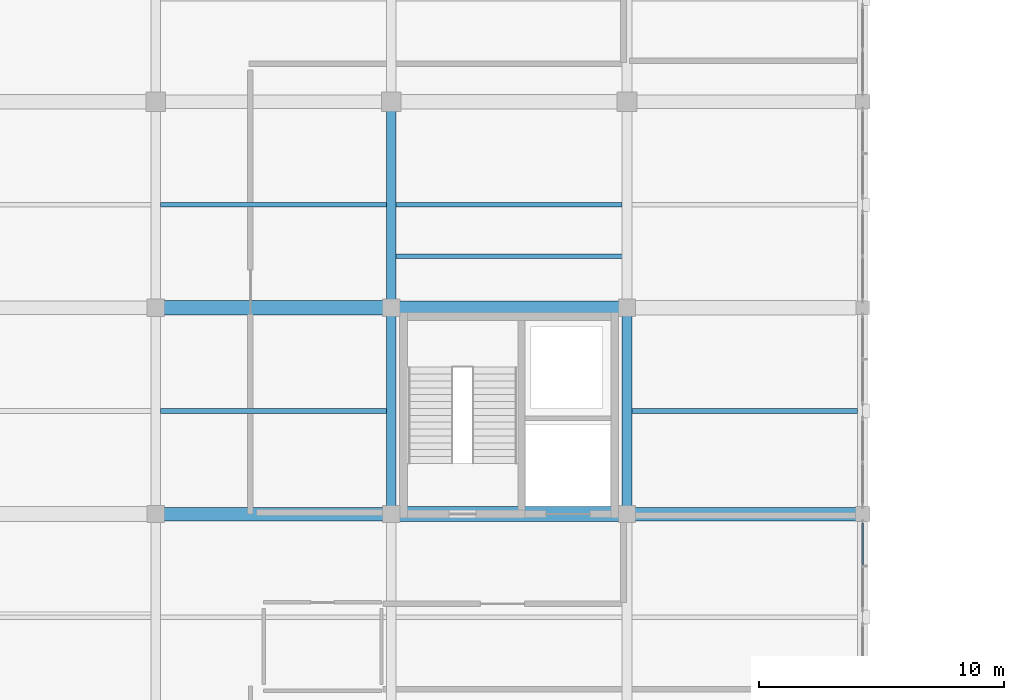
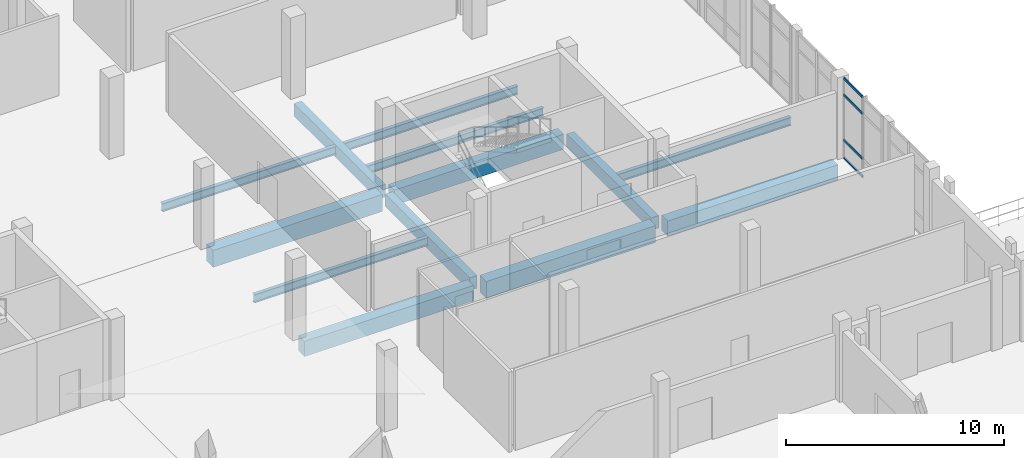
# One storey, part 63 of 102: 13 beams, 4 members, 1 element without a shape of its own.
"""IFC4 building model written with IfcOpenShell, lengths in metres."""

from ifc_helpers import new_model, si_unit, direction, frame, origin, origin_2d, place, context, subcontext, project, spatial, rectangle, hollow_rectangle, i_section, extrude, material, layer, layer_set, material_profile, profile_set, type_object, element, aggregate, save


model = new_model("IFC4")

# Units and contexts
model_context = context("Model", 3, precision=1e-05, world=origin(), true_north=direction((0.0, 1.0)))
body_context = subcontext(model_context, "Body", "Model", "MODEL_VIEW")
ifc_project = project(units=[si_unit("LENGTHUNIT", "METRE"), si_unit("AREAUNIT", "SQUARE_METRE"), si_unit("VOLUMEUNIT", "CUBIC_METRE"), si_unit("PLANEANGLEUNIT", "RADIAN"), si_unit("MASSUNIT", "GRAM", prefix="KILO")], contexts=[model_context])

# Site, building, storey
site_placement = place(None, origin())
site = spatial("IfcSite", under=ifc_project, at=site_placement, CompositionType="ELEMENT")
building_placement = place(site_placement, origin())
building = spatial("IfcBuilding", under=site, at=building_placement, Name="Lornevale Opera House", CompositionType="ELEMENT")
storey_placement = place(building_placement, frame((0.0, 0.0, 5.39990234375)))
storey = spatial("IfcBuildingStorey", under=building, at=storey_placement, Name="L02", CompositionType="ELEMENT", Elevation=5.39990234375)

# Beams
ifc_material_1 = material(Name="Concrete 35 MPa (CSA A23.1 N)", Category="concrete")
ifc_material_profile_1 = material_profile(ifc_material_1, rectangle(XDim=0.39990234375, YDim=0.699951171875, at=origin_2d()), Name="RC400x700")
ifc_profile_set_1 = profile_set([ifc_material_profile_1], Name="Concrete 35 MPa (CSA A23.1 N)")
beam_type_1 = type_object("IfcBeamType", Name="Concrete Floor Beam 400x700", PredefinedType="USERDEFINED", material=ifc_profile_set_1)
beam_1_placement = place(storey_placement, frame((134.39990234375, 33.925048828125, -0.64990234375), z_axis=(0.0, 1.0, 0.0), x_axis=(-1.0, 0.0, 0.0)))
element("IfcBeam", 1, at=beam_1_placement, inside=storey, type_object=beam_type_1, Name="Concrete Floor Beam 400x700 1954", ObjectType="GIRDER", PredefinedType="USERDEFINED", context=body_context, shape_type="SweptSolid", body=[
    extrude(rectangle(XDim=0.39990234375, YDim=0.699951171875, at=origin_2d()), origin(), (0.0, 0.0, 1.0), 7.75),
])
beam_2_placement = place(storey_placement, frame((134.39990234375, 42.324951171875, -0.64990234375), z_axis=(0.0, 1.0, 0.0), x_axis=(-1.0, 0.0, 0.0)))
element("IfcBeam", 2, at=beam_2_placement, inside=storey, type_object=beam_type_1, Name="Concrete Floor Beam 400x700 1955", ObjectType="GIRDER", PredefinedType="USERDEFINED", context=body_context, shape_type="SweptSolid", body=[
    extrude(rectangle(XDim=0.39990234375, YDim=0.699951171875, at=origin_2d()), origin(), (0.0, 0.0, 1.0), 7.699951171875),
])
beam_3_placement = place(storey_placement, frame((144.0, 33.925048828125, -0.64990234375), z_axis=(0.0, 1.0, 0.0), x_axis=(-1.0, 0.0, 0.0)))
element("IfcBeam", 3, at=beam_3_placement, inside=storey, type_object=beam_type_1, Name="Concrete Floor Beam 400x700 1963", ObjectType="GIRDER", PredefinedType="USERDEFINED", context=body_context, shape_type="SweptSolid", body=[
    extrude(rectangle(XDim=0.39990234375, YDim=0.699951171875, at=origin_2d()), origin(), (0.0, 0.0, 1.0), 7.75),
])
ifc_material_profile_2 = material_profile(ifc_material_1, rectangle(XDim=0.550048828125, YDim=0.85009765625, at=origin_2d()), Name="RC550x850")
ifc_profile_set_2 = profile_set([ifc_material_profile_2], Name="Concrete 35 MPa (CSA A23.1 N)")
beam_type_2 = type_object("IfcBeamType", Name="Concrete Primary Girder 550x850", PredefinedType="USERDEFINED", material=ifc_profile_set_2)
beam_4_placement = place(storey_placement, frame((125.125, 33.60009765625, -0.724853515625), z_axis=(1.0, 0.0, 0.0), x_axis=(0.0, 1.0, 0.0)))
element("IfcBeam", 4, at=beam_4_placement, inside=storey, type_object=beam_type_2, Name="Concrete Primary Girder 550x850 1719", ObjectType="GIRDER", PredefinedType="USERDEFINED", context=body_context, shape_type="SweptSolid", body=[
    extrude(rectangle(XDim=0.550048828125, YDim=0.85009765625, at=origin_2d()), origin(), (0.0, 0.0, 1.0), 8.949951171875),
])
beam_5_placement = place(storey_placement, frame((144.324951171875, 33.60009765625, -0.724853515625), z_axis=(1.0, 0.0, 0.0), x_axis=(0.0, 1.0, 0.0)))
element("IfcBeam", 5, at=beam_5_placement, inside=storey, type_object=beam_type_2, Name="Concrete Primary Girder 550x850 1721", ObjectType="GIRDER", PredefinedType="USERDEFINED", context=body_context, shape_type="SweptSolid", body=[
    extrude(rectangle(XDim=0.550048828125, YDim=0.85009765625, at=origin_2d()), origin(), (0.0, 0.0, 1.0), 9.0),
])
beam_6_placement = place(storey_placement, frame((134.72509765625, 42.0, -0.724853515625), z_axis=(1.0, 0.0, 0.0), x_axis=(0.0, 1.0, 0.0)))
element("IfcBeam", 6, at=beam_6_placement, inside=storey, type_object=beam_type_2, Name="Concrete Primary Girder 550x850 1733", ObjectType="GIRDER", PredefinedType="USERDEFINED", context=body_context, shape_type="SweptSolid", body=[
    extrude(rectangle(XDim=0.550048828125, YDim=0.85009765625, at=origin_2d()), origin(), (0.0, 0.0, 1.0), 8.949951171875),
])
ifc_material_profile_3 = material_profile(ifc_material_1, rectangle(XDim=0.60009765625, YDim=0.949951171875, at=origin_2d()), Name="RC600x950")
ifc_profile_set_3 = profile_set([ifc_material_profile_3], Name="Concrete 35 MPa (CSA A23.1 N)")
beam_type_3 = type_object("IfcBeamType", Name="Concrete Primary Girder 600x950", PredefinedType="USERDEFINED", material=ifc_profile_set_3)
for number, where, z_axis, x_axis, name in (
    (7, (134.72509765625, 33.60009765625, -0.77490234375), (1.0, 0.0, 0.0), (0.0, 1.0, 0.0), "Concrete Primary Girder 600x950 1720"),
    (8, (125.125, 42.0, -0.77490234375), (1.0, 0.0, 0.0), (0.0, 1.0, 0.0), "Concrete Primary Girder 600x950 1732"),
):
    element("IfcBeam", number, at=place(storey_placement, frame(where, z_axis=z_axis, x_axis=x_axis)), inside=storey, type_object=beam_type_3, Name=name, ObjectType="GIRDER", PredefinedType="USERDEFINED", context=body_context, shape_type="SweptSolid", body=[
        extrude(rectangle(XDim=0.60009765625, YDim=0.949951171875, at=origin_2d()), origin(), (0.0, 0.0, 1.0), 8.949951171875),
    ])

# Curtain wall, members
ifc_material_2 = material(Name="Anodized Oxide-Green Aluminium Framing", Category="aluminium")
ifc_layer = layer(ifc_material_2, 0.179931640625)
ifc_layer_set = layer_set([ifc_layer], Name="Anodized Oxide-Green Aluminium Framing")
curtain_wall_type = type_object("IfcCurtainWallType", Name="Promenade Gallery Curtain Wall M1800", PredefinedType="NOTDEFINED", material=ifc_layer_set)
curtain_wall_placement = place(storey_placement, origin())
curtain_wall = element("IfcCurtainWall", 9, at=curtain_wall_placement, inside=storey, type_object=curtain_wall_type, Name="Promenade Gallery Curtain Wall M1800 CW-080", PredefinedType="NOTDEFINED")
ifc_material_profile_4 = material_profile(ifc_material_2, hollow_rectangle(XDim=0.06494140625, YDim=0.135009765625, WallThickness=0.00390625, at=origin_2d()), Name="ALU65x135x4")
ifc_profile_set_4 = profile_set([ifc_material_profile_4], Name="Anodized Oxide-Green Aluminium Framing")
member_type = type_object("IfcMemberType", Name="Curtain Wall Transom 65x135", PredefinedType="USERDEFINED", material=ifc_profile_set_4)
member_1_placement = place(storey_placement, frame((153.60009765625, 33.239013671875, 0.03271484375), z_axis=(0.0, -1.0, 0.0), x_axis=(1.0, 0.0, 0.0)))
member_1 = element("IfcMember", 10, at=member_1_placement, type_object=member_type, Name="Curtain Wall Transom 65x135 CW1619", ObjectType="TRANSOM", PredefinedType="USERDEFINED", context=body_context, shape_type="SweptSolid", body=[
    extrude(hollow_rectangle(XDim=0.06494140625, YDim=0.135009765625, WallThickness=0.00390625, at=origin_2d()), origin(), (0.0, 0.0, 1.0), 1.714599609375),
])
member_2_placement = place(storey_placement, frame((153.60009765625, 33.239013671875, 1.050048828125), z_axis=(0.0, -1.0, 0.0), x_axis=(1.0, 0.0, 0.0)))
member_2 = element("IfcMember", 11, at=member_2_placement, type_object=member_type, Name="Curtain Wall Transom 65x135 CW1620", ObjectType="TRANSOM", PredefinedType="USERDEFINED", context=body_context, shape_type="SweptSolid", body=[
    extrude(hollow_rectangle(XDim=0.06494140625, YDim=0.135009765625, WallThickness=0.00390625, at=origin_2d()), origin(), (0.0, 0.0, 1.0), 1.714599609375),
])
member_3_placement = place(storey_placement, frame((153.60009765625, 33.239013671875, 3.570068359375), z_axis=(0.0, -1.0, 0.0), x_axis=(1.0, 0.0, 0.0)))
member_3 = element("IfcMember", 12, at=member_3_placement, type_object=member_type, Name="Curtain Wall Transom 65x135 CW1621", ObjectType="TRANSOM", PredefinedType="USERDEFINED", context=body_context, shape_type="SweptSolid", body=[
    extrude(hollow_rectangle(XDim=0.06494140625, YDim=0.135009765625, WallThickness=0.00390625, at=origin_2d()), origin(), (0.0, 0.0, 1.0), 1.714599609375),
])
member_4_placement = place(storey_placement, frame((153.60009765625, 33.239013671875, 4.487548828125), z_axis=(0.0, -1.0, 0.0), x_axis=(1.0, 0.0, 0.0)))
member_4 = element("IfcMember", 13, at=member_4_placement, type_object=member_type, Name="Curtain Wall Transom 65x135 CW1622", ObjectType="TRANSOM", PredefinedType="USERDEFINED", context=body_context, shape_type="SweptSolid", body=[
    extrude(hollow_rectangle(XDim=0.06494140625, YDim=0.135009765625, WallThickness=0.00390625, at=origin_2d()), origin(), (0.0, 0.0, 1.0), 1.714599609375),
])
aggregate(curtain_wall, [member_1, member_2, member_3, member_4])

# Beams
ifc_material_3 = material(Name="Structural Steel CSA G40.21 Grade 350W (350 MPa)", Category="steel")
ifc_material_profile_5 = material_profile(ifc_material_3, i_section(OverallWidth=0.19189453125, OverallDepth=0.462890625, WebThickness=0.010498046875, FlangeThickness=0.017578125, at=origin_2d()), Name="W460x89")
ifc_profile_set_5 = profile_set([ifc_material_profile_5], Name="Structural Steel CSA G40.21 Grade 350W (350 MPa)")
beam_type_4 = type_object("IfcBeamType", Name="Steel Floor Joist W460x89", PredefinedType="JOIST", material=ifc_profile_set_5)
for number, where, z_axis, x_axis, name in (
    (14, (125.0, 37.800048828125, -0.54638671875), (1.0, 0.0, 0.0), (0.0, 1.0, 0.0), "Steel Floor Joist W460x89 2059"),
    (15, (125.0, 46.199951171875, -0.54638671875), (1.0, 0.0, 0.0), (0.0, 1.0, 0.0), "Steel Floor Joist W460x89 2060"),
    (16, (134.60009765625, 46.199951171875, -0.54638671875), (1.0, 0.0, 0.0), (0.0, 1.0, 0.0), "Steel Floor Joist W460x89 2068"),
    (17, (144.199951171875, 37.800048828125, -0.54638671875), (1.0, 0.0, 0.0), (0.0, 1.0, 0.0), "Steel Floor Joist W460x89 2075"),
):
    element("IfcBeam", number, at=place(storey_placement, frame(where, z_axis=z_axis, x_axis=x_axis)), inside=storey, type_object=beam_type_4, Name=name, PredefinedType="JOIST", context=body_context, shape_type="SweptSolid", body=[
        extrude(i_section(OverallWidth=0.19189453125, OverallDepth=0.462890625, WebThickness=0.010498046875, FlangeThickness=0.017578125, at=origin_2d()), origin(), (0.0, 0.0, 1.0), 9.199951171875),
    ])
ifc_material_profile_6 = material_profile(ifc_material_3, i_section(OverallWidth=0.18994140625, OverallDepth=0.45703125, WebThickness=0.009033203125, FlangeThickness=0.014404296875, at=origin_2d()), Name="W460x74")
ifc_profile_set_6 = profile_set([ifc_material_profile_6], Name="Structural Steel CSA G40.21 Grade 350W (350 MPa)")
beam_type_5 = type_object("IfcBeamType", Name="Wardrobe Wing Beam W460x74", PredefinedType="JOIST", material=ifc_profile_set_6)
beam_7_placement = place(storey_placement, frame((134.449951171875, 44.10009765625, -0.539794921875), z_axis=(1.0, 0.0, 0.0), x_axis=(0.0, 1.0, 0.0)))
element("IfcBeam", 18, at=beam_7_placement, inside=storey, type_object=beam_type_5, Name="Wardrobe Wing Beam W460x74 3042", PredefinedType="JOIST", context=body_context, shape_type="SweptSolid", body=[
    extrude(i_section(OverallWidth=0.18994140625, OverallDepth=0.45703125, WebThickness=0.009033203125, FlangeThickness=0.014404296875, at=origin_2d()), origin(), (0.0, 0.0, 1.0), 9.5),
])

save(model, "model.ifc")
